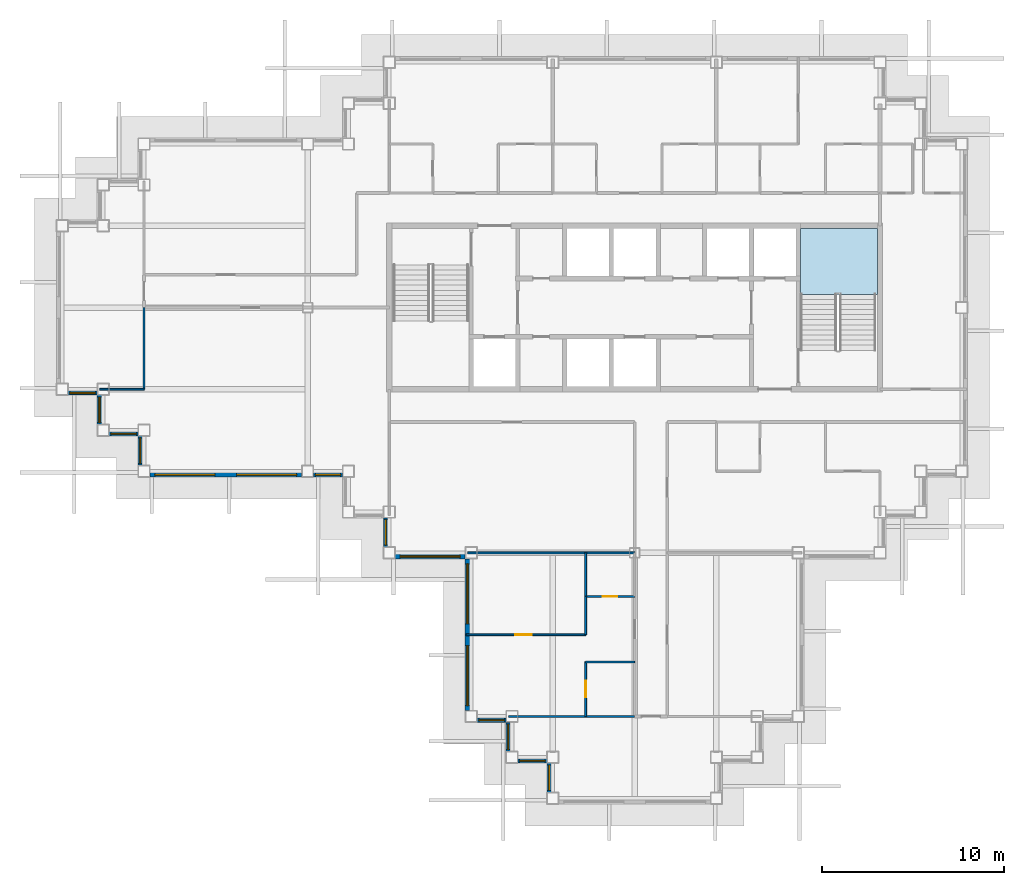
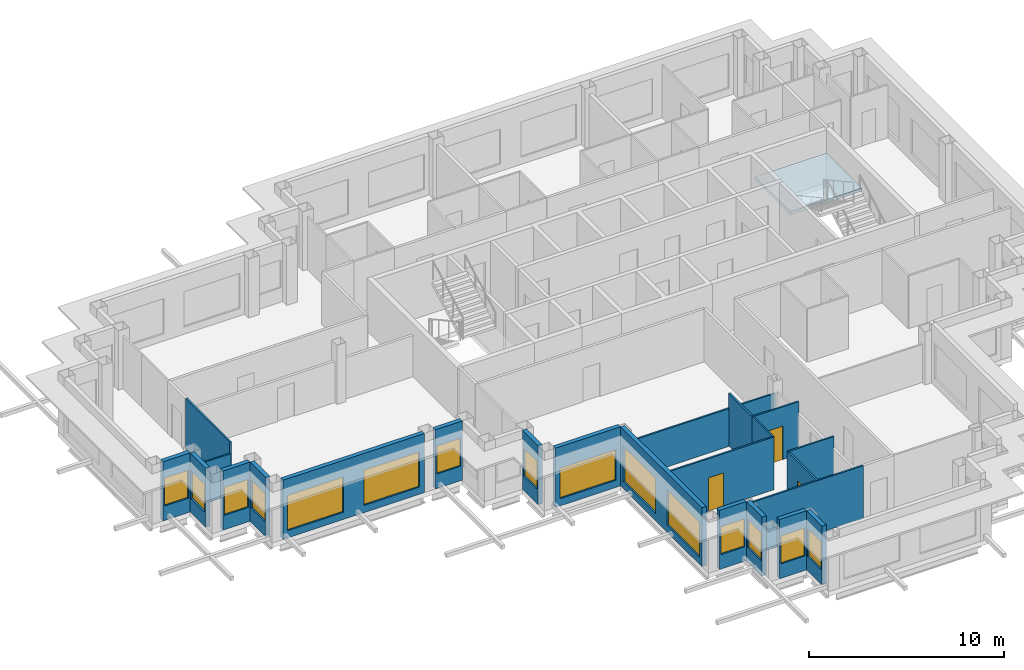
# One storey, part 2 of 11: 24 walls, 15 windows, 3 doors, 1 slab, 18 openings, 1 element without a shape of its own.
"""IFC4 building model written with IfcOpenShell, lengths in metres."""

import ifcopenshell
import ifcopenshell.guid

model = None  # the IFC model being written
_history = None  # IfcOwnerHistory: only IFC2X3 demands one
_inside = {}  # id of a spatial element -> (the spatial element, [elements in it])
_under = {}  # id of a project, library or spatial element -> (it, [spatial elements below it])
_declared = {}  # id of a project -> (the project, [libraries it declares])
_typed = {}  # id of a type object -> (the type object, [elements of that type])
_made_of = {}  # id of a material, layer set ... -> (it, [elements and type objects made of it])


def new_model(schema):
    """Start an empty IFC model of exactly this schema.

    Asked for "IFC4X3", IfcOpenShell would pick the latest addendum, in which some entities
    have other attributes; the version numbers below select the first issue.
    IFC2X3 requires an IfcOwnerHistory on every rooted entity: one is made here for all.
    """
    global model, _history
    if schema == "IFC4X3":
        model = ifcopenshell.file(schema_version=(4, 3, 0, 0))
    else:
        model = ifcopenshell.file(schema=schema)
    _inside.clear()
    _under.clear()
    _declared.clear()
    _typed.clear()
    _made_of.clear()
    _history = None
    if model.schema == "IFC2X3":
        org = make("IfcOrganization", Name="unknown")
        user = make(
            "IfcPersonAndOrganization",
            ThePerson=make("IfcPerson", FamilyName="unknown"),
            TheOrganization=org,
        )
        app = make(
            "IfcApplication",
            ApplicationDeveloper=org,
            Version="unknown",
            ApplicationFullName="unknown",
            ApplicationIdentifier="unknown",
        )
        _history = make(
            "IfcOwnerHistory",
            OwningUser=user,
            OwningApplication=app,
            ChangeAction="ADDED",
            CreationDate=0,
        )
    return model


def make(cls, **values):
    """One entity of the class cls with the attributes given. An attribute that is None is left unset."""
    return model.create_entity(
        cls, **{name: value for name, value in values.items() if value is not None}
    )


def rooted(cls, **values):
    """An entity with a GlobalId (a new one), such as an element, a storey or a relation."""
    return make(cls, GlobalId=ifcopenshell.guid.new(), OwnerHistory=_history, **values)


def si_unit(unit_type, name, prefix=None):
    """IfcSIUnit, for example si_unit("LENGTHUNIT", "METRE", prefix="MILLI")."""
    return make("IfcSIUnit", UnitType=unit_type, Prefix=prefix, Name=name)


def assignment(units):
    """IfcUnitAssignment: the units of a project."""
    return None if units is None else make("IfcUnitAssignment", Units=units)


def point(xyz):
    """IfcCartesianPoint."""
    return None if xyz is None else make("IfcCartesianPoint", Coordinates=xyz)


def direction(xyz):
    """IfcDirection."""
    return None if xyz is None else make("IfcDirection", DirectionRatios=xyz)


def frame(location, z_axis=None, x_axis=None):
    """IfcAxis2Placement3D, a coordinate frame: its origin and axes. An axis left out is left unset."""
    return make(
        "IfcAxis2Placement3D",
        Location=point(location),
        Axis=direction(z_axis),
        RefDirection=direction(x_axis),
    )


def frame_2d(location, x_axis=None):
    """IfcAxis2Placement2D, a coordinate frame in the plane: its origin and x axis."""
    return make(
        "IfcAxis2Placement2D", Location=point(location), RefDirection=direction(x_axis)
    )


def origin():
    """The frame at (0, 0, 0) with its axes left unset."""
    return frame((0.0, 0.0, 0.0))


def place(relative_to, where):
    """IfcLocalPlacement: puts the frame where relative to a parent placement (None: the world)."""
    return make(
        "IfcLocalPlacement", PlacementRelTo=relative_to, RelativePlacement=where
    )


def context(
    kind, dimensions, precision=None, world=None, true_north=None, identifier=None
):
    """IfcGeometricRepresentationContext, for example the 3D "Model" context."""
    return make(
        "IfcGeometricRepresentationContext",
        ContextIdentifier=identifier,
        ContextType=kind,
        CoordinateSpaceDimension=dimensions,
        Precision=precision,
        WorldCoordinateSystem=world,
        TrueNorth=true_north,
    )


def subcontext(parent, identifier, kind, view, scale=None):
    """IfcGeometricRepresentationSubContext, for example "Body" below "Model"."""
    return make(
        "IfcGeometricRepresentationSubContext",
        ContextIdentifier=identifier,
        ContextType=kind,
        ParentContext=parent,
        TargetScale=scale,
        TargetView=view,
    )


def project(units=None, contexts=None):
    """IfcProject with its units and contexts."""
    return rooted(
        "IfcProject",
        Name="project",
        RepresentationContexts=contexts,
        UnitsInContext=assignment(units),
    )


def spatial(cls, under=None, at=None, **own):
    """A site, building, storey or space (cls), placed at a placement, below another one or the project."""
    s = rooted(cls, ObjectPlacement=at, **own)
    if under is not None:
        _under.setdefault(under.id(), (under, []))[1].append(s)
    return s


def polyline(points):
    """IfcPolyline through the points."""
    return make("IfcPolyline", Points=[point(p) for p in points])


def profile(cls, at=None, kind="AREA", **sizes):
    """A parametric profile (cls). Its sizes go by their IFC names, for example OverallWidth=200.0."""
    return make(cls, ProfileType=kind, Position=at, **sizes)


def rectangle(**sizes):
    """IfcRectangleProfileDef."""
    return profile("IfcRectangleProfileDef", **sizes)


def outline(outer, holes=None, kind="AREA"):
    """IfcArbitraryClosedProfileDef: a profile drawn as a closed curve; with holes, ...WithVoids."""
    if holes is None:
        return make("IfcArbitraryClosedProfileDef", ProfileType=kind, OuterCurve=outer)
    return make(
        "IfcArbitraryProfileDefWithVoids",
        ProfileType=kind,
        OuterCurve=outer,
        InnerCurves=holes,
    )


def extrude(swept, where, along, depth):
    """IfcExtrudedAreaSolid: the profile swept, set in the frame where, extruded along a direction by depth."""
    return make(
        "IfcExtrudedAreaSolid",
        SweptArea=swept,
        Position=where,
        ExtrudedDirection=direction(along),
        Depth=depth,
    )


def shape(context_of_items, identifier, shape_type, items):
    """IfcShapeRepresentation: the items that make up one representation, for example the "Body"."""
    return make(
        "IfcShapeRepresentation",
        ContextOfItems=context_of_items,
        RepresentationIdentifier=identifier,
        RepresentationType=shape_type,
        Items=items,
    )


def material(Name=None, Category=None):
    """IfcMaterial."""
    return make("IfcMaterial", Name=Name, Category=Category)


def layer(
    of_material, thickness, ventilated=None, Name=None, Category=None, Priority=None
):
    """IfcMaterialLayer: one layer of a wall or slab, of a material (None: an air gap)."""
    return make(
        "IfcMaterialLayer",
        Material=of_material,
        LayerThickness=thickness,
        IsVentilated=ventilated,
        Name=Name,
        Category=Category,
        Priority=Priority,
    )


def layer_set(layers, Name=None):
    """IfcMaterialLayerSet."""
    return make("IfcMaterialLayerSet", MaterialLayers=layers, LayerSetName=Name)


def made_of(thing, what):
    """Note that an element or type object is made of a material, layer set ...; save() writes the relation."""
    if what is not None:
        _made_of.setdefault(what.id(), (what, []))[1].append(thing)
    return thing


def type_object(cls, material=None, **own):
    """A type object (cls), such as IfcWallType, which elements share."""
    return made_of(rooted(cls, **own), material)


def element(
    cls,
    number,
    at=None,
    inside=None,
    cuts=None,
    type_object=None,
    material=None,
    context=None,
    identifier="Body",
    shape_type=None,
    held_by="IfcProductDefinitionShape",
    body=None,
    shapes=None,
    **own,
):
    """One element of the class cls, such as IfcWall. Its Tag is "e" and its number.

    at: its placement. inside: the storey or other place that contains it. cuts: it is an
    opening in that element (IfcRelVoidsElement). A single representation is given by context,
    identifier, shape_type and body (its items); several are given by shapes. held_by: the class
    of the entity that holds the representations. save() writes the other relations.
    """
    e = rooted(cls, Tag="e%d" % number, ObjectPlacement=at, **own)
    if body is not None:
        shapes = [shape(context, identifier, shape_type, body)]
    if shapes is not None:
        e.Representation = make(held_by, Representations=shapes)
    if inside is not None:
        _inside.setdefault(inside.id(), (inside, []))[1].append(e)
    if cuts is not None:
        rooted(
            "IfcRelVoidsElement", RelatingBuildingElement=cuts, RelatedOpeningElement=e
        )
    if type_object is not None:
        _typed.setdefault(type_object.id(), (type_object, []))[1].append(e)
    return made_of(e, material)


def fill(opening, filler):
    """IfcRelFillsElement: the door or window that sits in an opening."""
    return rooted(
        "IfcRelFillsElement",
        RelatingOpeningElement=opening,
        RelatedBuildingElement=filler,
    )


def aggregate(whole, parts):
    """IfcRelAggregates: a whole, such as a stair, and the parts it consists of."""
    return rooted("IfcRelAggregates", RelatingObject=whole, RelatedObjects=parts)


def save(model, path):
    """Write the relations noted so far, then the file.

    IfcRelAggregates (storeys below a building ...), IfcRelContainedInSpatialStructure (elements
    in a storey), IfcRelDefinesByType, IfcRelAssociatesMaterial and IfcRelDeclares: one each for
    every whole, place, type object, material and project.
    """
    for whole, parts in _under.values():
        aggregate(whole, parts)
    for where, things in _inside.values():
        rooted(
            "IfcRelContainedInSpatialStructure",
            RelatedElements=things,
            RelatingStructure=where,
        )
    for kind, things in _typed.values():
        rooted("IfcRelDefinesByType", RelatedObjects=things, RelatingType=kind)
    for what, things in _made_of.values():
        rooted("IfcRelAssociatesMaterial", RelatedObjects=things, RelatingMaterial=what)
    for by, libraries in _declared.values():
        rooted("IfcRelDeclares", RelatingContext=by, RelatedDefinitions=libraries)
    model.write(path)


model = new_model("IFC4")

# Units and contexts
model_context = context("Model", 3, precision=1e-05, world=origin(), true_north=direction((0.0, 1.0)))
body_context = subcontext(model_context, "Body", "Model", "MODEL_VIEW")
ifc_project = project(units=[si_unit("LENGTHUNIT", "METRE"), si_unit("AREAUNIT", "SQUARE_METRE"), si_unit("VOLUMEUNIT", "CUBIC_METRE"), si_unit("PLANEANGLEUNIT", "RADIAN"), si_unit("MASSUNIT", "GRAM", prefix="KILO")], contexts=[model_context])

# Site, building, storey
site_placement = place(None, origin())
site = spatial("IfcSite", under=ifc_project, at=site_placement, CompositionType="ELEMENT")
building_placement = place(site_placement, origin())
building = spatial("IfcBuilding", under=site, at=building_placement, Name="Caravel Reach Hotel and Residences", CompositionType="ELEMENT")
storey_placement = place(building_placement, frame((0.0, 0.0, 229.39990234375)))
storey = spatial("IfcBuildingStorey", under=building, at=storey_placement, Name="L58", CompositionType="ELEMENT", Elevation=229.39990234375)

# Stair, slab
ifc_material_1 = material(Name="Concrete C40", Category="concrete")
stair_type = type_object("IfcStairType", Name="Core stair", PredefinedType="HALF_TURN_STAIR", material=ifc_material_1)
stair_placement = place(storey_placement, origin())
stair = element("IfcStair", 1, at=stair_placement, inside=storey, type_object=stair_type, Name="L58 Exit stair B", PredefinedType="HALF_TURN_STAIR")
ifc_material_2 = material(Name="Concrete C40", Category="concrete")
ifc_layer_1 = layer(ifc_material_2, 0.199951171875)
ifc_layer_set_1 = layer_set([ifc_layer_1], Name="Core stair landing")
slab_type = type_object("IfcSlabType", Name="Core stair landing", PredefinedType="LANDING", material=ifc_layer_set_1)
slab_placement = place(storey_placement, frame((0.0, 0.0, 1.650146484375)))
slab = element("IfcSlab", 2, at=slab_placement, type_object=slab_type, Name="ST-B landing 1", PredefinedType="LANDING", context=body_context, shape_type="SweptSolid", body=[
    extrude(outline(polyline([(44.85009765625, 27.72998046875), (44.85009765625, 31.35009765625), (40.625, 31.35009765625), (40.625, 27.72998046875), (44.85009765625, 27.72998046875)])), origin(), (0.0, 0.0, 1.0), 0.199951171875),
])
aggregate(stair, [slab])

# Wall, opening, door
ifc_material_3 = material(Name="Gypsum board on steel stud", Category="steel")
ifc_layer_2 = layer(ifc_material_3, 0.10009765625)
ifc_layer_set_2 = layer_set([ifc_layer_2], Name="Bathroom pod wall 100 mm")
wall_type_1 = type_object("IfcWallType", Name="Bathroom pod wall 100 mm", PredefinedType="PARTITIONING", material=ifc_layer_set_2)
wall_1_placement = place(storey_placement, frame((28.800048828125, 11.10009765625, 0.0), z_axis=(0.0, 0.0, 1.0), x_axis=(1.0, 0.0, 0.0)))
wall_1 = element("IfcWall", 3, at=wall_1_placement, inside=storey, type_object=wall_type_1, Name="L58 wall w062", PredefinedType="PARTITIONING", context=body_context, shape_type="SweptSolid", body=[
    extrude(rectangle(XDim=2.699951171875, YDim=0.10009765625, at=frame_2d((1.35009765625, 0.0))), origin(), (0.0, 0.0, 1.0), 3.300048828125),
])
opening_1_placement = place(wall_1_placement, frame((0.949951171875, 0.0, 0.0)))
opening_1 = element("IfcOpeningElement", 4, at=opening_1_placement, cuts=wall_1, Name="Opening D58-034", PredefinedType="OPENING", context=body_context, shape_type="SweptSolid", body=[
    extrude(rectangle(XDim=0.800048828125, YDim=2.10009765625, at=frame_2d((0.39990234375, 1.050048828125))), frame((0.0, 0.06005859375, 0.0), z_axis=(0.0, -1.0, 0.0), x_axis=(1.0, 0.0, 0.0)), (0.0, 0.0, 1.0), 0.1201171875),
])
ifc_material_4 = material(Name="Timber and steel door leaf", Category="steel")
door_type_1 = type_object("IfcDoorType", Name="Bathroom door 800 x 2100", OperationType="SINGLE_SWING_LEFT", PredefinedType="DOOR", material=ifc_material_4)
door_1_placement = place(opening_1_placement, origin())
door_1 = element("IfcDoor", 5, at=door_1_placement, inside=storey, type_object=door_type_1, Name="door D58-034", OperationType="SINGLE_SWING_LEFT", OverallHeight=2.10009765625, OverallWidth=0.800048828125, PredefinedType="DOOR", context=body_context, shape_type="SweptSolid", body=[
    extrude(rectangle(XDim=0.800048828125, YDim=2.10009765625, at=frame_2d((0.39990234375, 1.050048828125))), frame((0.0, 0.02490234375, 0.0), z_axis=(0.0, -1.0, 0.0), x_axis=(1.0, 0.0, 0.0)), (0.0, 0.0, 1.0), 0.050048828125),
])
fill(opening_1, door_1)

# Walls
wall_2_placement = place(storey_placement, frame((28.800048828125, 13.5, 0.0), z_axis=(0.0, 0.0, 1.0), x_axis=(1.0, 0.0, 0.0)))
element("IfcWall", 6, at=wall_2_placement, inside=storey, type_object=wall_type_1, Name="L58 wall w063", PredefinedType="PARTITIONING", context=body_context, shape_type="SweptSolid", body=[
    extrude(rectangle(XDim=2.699951171875, YDim=0.10009765625, at=frame_2d((1.35009765625, 0.0))), origin(), (0.0, 0.0, 1.0), 2.3681640625),
])
wall_3_placement = place(storey_placement, frame((28.800048828125, 11.10009765625, 0.0), z_axis=(0.0, 0.0, 1.0), x_axis=(0.0, 1.0, 0.0)))
element("IfcWall", 7, at=wall_3_placement, inside=storey, type_object=wall_type_1, Name="L58 wall w076", PredefinedType="PARTITIONING", context=body_context, shape_type="SweptSolid", body=[
    extrude(rectangle(XDim=2.39990234375, YDim=0.10009765625, at=frame_2d((1.199951171875, 0.0))), origin(), (0.0, 0.0, 1.0), 3.300048828125),
])

# Wall, opening, window
ifc_material_5 = material(Name="Insulated rainscreen wall, aluminium cladding", Category="aluminium")
ifc_layer_3 = layer(ifc_material_5, 0.25)
ifc_layer_set_3 = layer_set([ifc_layer_3], Name="EW1 Tower rainscreen wall")
wall_type_2 = type_object("IfcWallType", Name="EW1 Tower rainscreen wall", PredefinedType="SOLIDWALL", material=ifc_layer_set_3)
wall_4_placement = place(storey_placement, frame((0.324951171875, 22.300048828125, 0.0), z_axis=(0.0, 0.0, 1.0), x_axis=(1.0, 0.0, 0.0)))
wall_4 = element("IfcWall", 8, at=wall_4_placement, inside=storey, type_object=wall_type_2, Name="External wall L58 S21.1", PredefinedType="SOLIDWALL", context=body_context, shape_type="SweptSolid", body=[
    extrude(rectangle(XDim=1.60009765625, YDim=0.25, at=frame_2d((0.800048828125, 0.0))), origin(), (0.0, 0.0, 1.0), 3.7001953125),
])
opening_2_placement = place(wall_4_placement, frame((0.10009765625, 0.0, 0.89990234375)))
opening_2 = element("IfcOpeningElement", 9, at=opening_2_placement, cuts=wall_4, Name="Opening WN24", PredefinedType="OPENING", context=body_context, shape_type="SweptSolid", body=[
    extrude(rectangle(XDim=1.39990234375, YDim=1.75, at=frame_2d((0.699951171875, 0.875))), frame((0.0, 0.135009765625, 0.0), z_axis=(0.0, -1.0, 0.0), x_axis=(1.0, 0.0, 0.0)), (0.0, 0.0, 1.0), 0.27001953125),
])
ifc_material_6 = material(Name="Dark low-e glazing in black aluminium frame", Category="aluminium")
window_type_1 = type_object("IfcWindowType", Name="Residence bedroom window 1400 x 1750", PartitioningType="SINGLE_PANEL", PredefinedType="WINDOW", material=ifc_material_6)
window_1_placement = place(opening_2_placement, origin())
window_1 = element("IfcWindow", 10, at=window_1_placement, inside=storey, type_object=window_type_1, Name="Window L58 S21.1.1", OverallHeight=1.75, OverallWidth=1.39990234375, PartitioningType="SINGLE_PANEL", PredefinedType="WINDOW", context=body_context, shape_type="SweptSolid", body=[
    extrude(rectangle(XDim=1.39990234375, YDim=1.75, at=frame_2d((0.699951171875, 0.875))), frame((0.0, 0.030029296875, 0.0), z_axis=(0.0, -1.0, 0.0), x_axis=(1.0, 0.0, 0.0)), (0.0, 0.0, 1.0), 0.06005859375),
])
fill(opening_2, window_1)

wall_5_placement = place(storey_placement, frame((2.050048828125, 22.175048828125, 0.0), z_axis=(0.0, 0.0, 1.0), x_axis=(0.0, -1.0, 0.0)))
wall_5 = element("IfcWall", 11, at=wall_5_placement, inside=storey, type_object=wall_type_2, Name="External wall L58 W22.1", PredefinedType="SOLIDWALL", context=body_context, shape_type="SweptSolid", body=[
    extrude(rectangle(XDim=1.60009765625, YDim=0.25, at=frame_2d((0.800048828125, 0.0))), origin(), (0.0, 0.0, 1.0), 3.7001953125),
])
opening_3_placement = place(wall_5_placement, frame((0.10009765625, 0.0, 0.89990234375)))
opening_3 = element("IfcOpeningElement", 12, at=opening_3_placement, cuts=wall_5, Name="Opening WN24", PredefinedType="OPENING", context=body_context, shape_type="SweptSolid", body=[
    extrude(rectangle(XDim=1.39990234375, YDim=1.75, at=frame_2d((0.699951171875, 0.875))), frame((0.0, 0.135009765625, 0.0), z_axis=(0.0, -1.0, 0.0), x_axis=(1.0, 0.0, 0.0)), (0.0, 0.0, 1.0), 0.27001953125),
])
window_2_placement = place(opening_3_placement, origin())
window_2 = element("IfcWindow", 13, at=window_2_placement, inside=storey, type_object=window_type_1, Name="Window L58 W22.1.1", OverallHeight=1.75, OverallWidth=1.39990234375, PartitioningType="SINGLE_PANEL", PredefinedType="WINDOW", context=body_context, shape_type="SweptSolid", body=[
    extrude(rectangle(XDim=1.39990234375, YDim=1.75, at=frame_2d((0.699951171875, 0.875))), frame((0.0, 0.030029296875, 0.0), z_axis=(0.0, -1.0, 0.0), x_axis=(1.0, 0.0, 0.0)), (0.0, 0.0, 1.0), 0.06005859375),
])
fill(opening_3, window_2)

wall_6_placement = place(storey_placement, frame((2.574951171875, 20.050048828125, 0.0), z_axis=(0.0, 0.0, 1.0), x_axis=(1.0, 0.0, 0.0)))
wall_6 = element("IfcWall", 14, at=wall_6_placement, inside=storey, type_object=wall_type_2, Name="External wall L58 S23.1", PredefinedType="SOLIDWALL", context=body_context, shape_type="SweptSolid", body=[
    extrude(rectangle(XDim=1.60009765625, YDim=0.25, at=frame_2d((0.800048828125, 0.0))), origin(), (0.0, 0.0, 1.0), 3.7001953125),
])
opening_4_placement = place(wall_6_placement, frame((0.10009765625, 0.0, 0.89990234375)))
opening_4 = element("IfcOpeningElement", 15, at=opening_4_placement, cuts=wall_6, Name="Opening WN24", PredefinedType="OPENING", context=body_context, shape_type="SweptSolid", body=[
    extrude(rectangle(XDim=1.39990234375, YDim=1.75, at=frame_2d((0.699951171875, 0.875))), frame((0.0, 0.135009765625, 0.0), z_axis=(0.0, -1.0, 0.0), x_axis=(1.0, 0.0, 0.0)), (0.0, 0.0, 1.0), 0.27001953125),
])
window_3_placement = place(opening_4_placement, origin())
window_3 = element("IfcWindow", 16, at=window_3_placement, inside=storey, type_object=window_type_1, Name="Window L58 S23.1.1", OverallHeight=1.75, OverallWidth=1.39990234375, PartitioningType="SINGLE_PANEL", PredefinedType="WINDOW", context=body_context, shape_type="SweptSolid", body=[
    extrude(rectangle(XDim=1.39990234375, YDim=1.75, at=frame_2d((0.699951171875, 0.875))), frame((0.0, 0.030029296875, 0.0), z_axis=(0.0, -1.0, 0.0), x_axis=(1.0, 0.0, 0.0)), (0.0, 0.0, 1.0), 0.06005859375),
])
fill(opening_4, window_3)

wall_7_placement = place(storey_placement, frame((4.300048828125, 19.925048828125, 0.0), z_axis=(0.0, 0.0, 1.0), x_axis=(0.0, -1.0, 0.0)))
wall_7 = element("IfcWall", 17, at=wall_7_placement, inside=storey, type_object=wall_type_2, Name="External wall L58 W24.1", PredefinedType="SOLIDWALL", context=body_context, shape_type="SweptSolid", body=[
    extrude(rectangle(XDim=1.60009765625, YDim=0.25, at=frame_2d((0.800048828125, 0.0))), origin(), (0.0, 0.0, 1.0), 3.7001953125),
])
opening_5_placement = place(wall_7_placement, frame((0.10009765625, 0.0, 0.89990234375)))
opening_5 = element("IfcOpeningElement", 18, at=opening_5_placement, cuts=wall_7, Name="Opening WN24", PredefinedType="OPENING", context=body_context, shape_type="SweptSolid", body=[
    extrude(rectangle(XDim=1.39990234375, YDim=1.75, at=frame_2d((0.699951171875, 0.875))), frame((0.0, 0.135009765625, 0.0), z_axis=(0.0, -1.0, 0.0), x_axis=(1.0, 0.0, 0.0)), (0.0, 0.0, 1.0), 0.27001953125),
])
window_4_placement = place(opening_5_placement, origin())
window_4 = element("IfcWindow", 19, at=window_4_placement, inside=storey, type_object=window_type_1, Name="Window L58 W24.1.1", OverallHeight=1.75, OverallWidth=1.39990234375, PartitioningType="SINGLE_PANEL", PredefinedType="WINDOW", context=body_context, shape_type="SweptSolid", body=[
    extrude(rectangle(XDim=1.39990234375, YDim=1.75, at=frame_2d((0.699951171875, 0.875))), frame((0.0, 0.030029296875, 0.0), z_axis=(0.0, -1.0, 0.0), x_axis=(1.0, 0.0, 0.0)), (0.0, 0.0, 1.0), 0.06005859375),
])
fill(opening_5, window_4)

# Wall, openings, windows
wall_8_placement = place(storey_placement, frame((4.824951171875, 17.800048828125, 0.0), z_axis=(0.0, 0.0, 1.0), x_axis=(1.0, 0.0, 0.0)))
wall_8 = element("IfcWall", 20, at=wall_8_placement, inside=storey, type_object=wall_type_2, Name="External wall L58 S25.1", PredefinedType="SOLIDWALL", context=body_context, shape_type="SweptSolid", body=[
    extrude(rectangle(XDim=8.35009765625, YDim=0.25, at=frame_2d((4.175048828125, 0.0))), origin(), (0.0, 0.0, 1.0), 3.7001953125),
])
opening_6_placement = place(wall_8_placement, frame((0.27490234375, 0.0, 0.449951171875)))
opening_6 = element("IfcOpeningElement", 21, at=opening_6_placement, cuts=wall_8, Name="Opening WN19", PredefinedType="OPENING", context=body_context, shape_type="SweptSolid", body=[
    extrude(rectangle(XDim=3.300048828125, YDim=2.199951171875, at=frame_2d((1.64990234375, 1.10009765625))), frame((0.0, 0.135009765625, 0.0), z_axis=(0.0, -1.0, 0.0), x_axis=(1.0, 0.0, 0.0)), (0.0, 0.0, 1.0), 0.27001953125),
])
opening_7_placement = place(wall_8_placement, frame((4.77490234375, 0.0, 0.449951171875)))
opening_7 = element("IfcOpeningElement", 22, at=opening_7_placement, cuts=wall_8, Name="Opening WN19", PredefinedType="OPENING", context=body_context, shape_type="SweptSolid", body=[
    extrude(rectangle(XDim=3.300048828125, YDim=2.199951171875, at=frame_2d((1.64990234375, 1.10009765625))), frame((0.0, 0.135009765625, 0.0), z_axis=(0.0, -1.0, 0.0), x_axis=(1.0, 0.0, 0.0)), (0.0, 0.0, 1.0), 0.27001953125),
])
ifc_material_7 = material(Name="Dark low-e glazing in black aluminium frame", Category="aluminium")
window_type_2 = type_object("IfcWindowType", Name="Residence living window 3300 x 2200", PartitioningType="SINGLE_PANEL", PredefinedType="WINDOW", material=ifc_material_7)
window_5_placement = place(opening_6_placement, origin())
window_5 = element("IfcWindow", 23, at=window_5_placement, inside=storey, type_object=window_type_2, Name="Window L58 S25.1.1", OverallHeight=2.199951171875, OverallWidth=3.300048828125, PartitioningType="SINGLE_PANEL", PredefinedType="WINDOW", context=body_context, shape_type="SweptSolid", body=[
    extrude(rectangle(XDim=3.300048828125, YDim=2.199951171875, at=frame_2d((1.64990234375, 1.10009765625))), frame((0.0, 0.030029296875, 0.0), z_axis=(0.0, -1.0, 0.0), x_axis=(1.0, 0.0, 0.0)), (0.0, 0.0, 1.0), 0.06005859375),
])
fill(opening_6, window_5)
window_6_placement = place(opening_7_placement, origin())
window_6 = element("IfcWindow", 24, at=window_6_placement, inside=storey, type_object=window_type_2, Name="Window L58 S25.1.2", OverallHeight=2.199951171875, OverallWidth=3.300048828125, PartitioningType="SINGLE_PANEL", PredefinedType="WINDOW", context=body_context, shape_type="SweptSolid", body=[
    extrude(rectangle(XDim=3.300048828125, YDim=2.199951171875, at=frame_2d((1.64990234375, 1.10009765625))), frame((0.0, 0.030029296875, 0.0), z_axis=(0.0, -1.0, 0.0), x_axis=(1.0, 0.0, 0.0)), (0.0, 0.0, 1.0), 0.06005859375),
])
fill(opening_7, window_6)

# Wall, opening, window
wall_9_placement = place(storey_placement, frame((13.824951171875, 17.800048828125, 0.0), z_axis=(0.0, 0.0, 1.0), x_axis=(1.0, 0.0, 0.0)))
wall_9 = element("IfcWall", 25, at=wall_9_placement, inside=storey, type_object=wall_type_2, Name="External wall L58 S25.2", PredefinedType="SOLIDWALL", context=body_context, shape_type="SweptSolid", body=[
    extrude(rectangle(XDim=1.60009765625, YDim=0.25, at=frame_2d((0.800048828125, 0.0))), origin(), (0.0, 0.0, 1.0), 3.7001953125),
])
opening_8_placement = place(wall_9_placement, frame((0.10009765625, 0.0, 0.89990234375)))
opening_8 = element("IfcOpeningElement", 26, at=opening_8_placement, cuts=wall_9, Name="Opening WN24", PredefinedType="OPENING", context=body_context, shape_type="SweptSolid", body=[
    extrude(rectangle(XDim=1.39990234375, YDim=1.75, at=frame_2d((0.699951171875, 0.875))), frame((0.0, 0.135009765625, 0.0), z_axis=(0.0, -1.0, 0.0), x_axis=(1.0, 0.0, 0.0)), (0.0, 0.0, 1.0), 0.27001953125),
])
window_7_placement = place(opening_8_placement, origin())
window_7 = element("IfcWindow", 27, at=window_7_placement, inside=storey, type_object=window_type_1, Name="Window L58 S25.2.1", OverallHeight=1.75, OverallWidth=1.39990234375, PartitioningType="SINGLE_PANEL", PredefinedType="WINDOW", context=body_context, shape_type="SweptSolid", body=[
    extrude(rectangle(XDim=1.39990234375, YDim=1.75, at=frame_2d((0.699951171875, 0.875))), frame((0.0, 0.030029296875, 0.0), z_axis=(0.0, -1.0, 0.0), x_axis=(1.0, 0.0, 0.0)), (0.0, 0.0, 1.0), 0.06005859375),
])
fill(opening_8, window_7)

wall_10_placement = place(storey_placement, frame((17.800048828125, 15.425048828125, 0.0), z_axis=(0.0, 0.0, 1.0), x_axis=(0.0, -1.0, 0.0)))
wall_10 = element("IfcWall", 28, at=wall_10_placement, inside=storey, type_object=wall_type_2, Name="External wall L58 W28.1", PredefinedType="SOLIDWALL", context=body_context, shape_type="SweptSolid", body=[
    extrude(rectangle(XDim=1.60009765625, YDim=0.25, at=frame_2d((0.800048828125, 0.0))), origin(), (0.0, 0.0, 1.0), 3.7001953125),
])
opening_9_placement = place(wall_10_placement, frame((0.10009765625, 0.0, 0.89990234375)))
opening_9 = element("IfcOpeningElement", 29, at=opening_9_placement, cuts=wall_10, Name="Opening WN24", PredefinedType="OPENING", context=body_context, shape_type="SweptSolid", body=[
    extrude(rectangle(XDim=1.39990234375, YDim=1.75, at=frame_2d((0.699951171875, 0.875))), frame((0.0, 0.135009765625, 0.0), z_axis=(0.0, -1.0, 0.0), x_axis=(1.0, 0.0, 0.0)), (0.0, 0.0, 1.0), 0.27001953125),
])
window_8_placement = place(opening_9_placement, origin())
window_8 = element("IfcWindow", 30, at=window_8_placement, inside=storey, type_object=window_type_1, Name="Window L58 W28.1.1", OverallHeight=1.75, OverallWidth=1.39990234375, PartitioningType="SINGLE_PANEL", PredefinedType="WINDOW", context=body_context, shape_type="SweptSolid", body=[
    extrude(rectangle(XDim=1.39990234375, YDim=1.75, at=frame_2d((0.699951171875, 0.875))), frame((0.0, 0.030029296875, 0.0), z_axis=(0.0, -1.0, 0.0), x_axis=(1.0, 0.0, 0.0)), (0.0, 0.0, 1.0), 0.06005859375),
])
fill(opening_9, window_8)

wall_11_placement = place(storey_placement, frame((18.324951171875, 13.300048828125, 0.0), z_axis=(0.0, 0.0, 1.0), x_axis=(1.0, 0.0, 0.0)))
wall_11 = element("IfcWall", 31, at=wall_11_placement, inside=storey, type_object=wall_type_2, Name="External wall L58 S29.1", PredefinedType="SOLIDWALL", context=body_context, shape_type="SweptSolid", body=[
    extrude(rectangle(XDim=3.85009765625, YDim=0.25, at=frame_2d((1.925048828125, 0.0))), origin(), (0.0, 0.0, 1.0), 3.7001953125),
])
opening_10_placement = place(wall_11_placement, frame((0.27490234375, 0.0, 0.449951171875)))
opening_10 = element("IfcOpeningElement", 32, at=opening_10_placement, cuts=wall_11, Name="Opening WN23", PredefinedType="OPENING", context=body_context, shape_type="SweptSolid", body=[
    extrude(rectangle(XDim=3.300048828125, YDim=1.89990234375, at=frame_2d((1.64990234375, 0.949951171875))), frame((0.0, 0.135009765625, 0.0), z_axis=(0.0, -1.0, 0.0), x_axis=(1.0, 0.0, 0.0)), (0.0, 0.0, 1.0), 0.27001953125),
])
ifc_material_8 = material(Name="Dark low-e glazing in black aluminium frame", Category="aluminium")
window_type_3 = type_object("IfcWindowType", Name="Residence living window 3300 x 1900", PartitioningType="SINGLE_PANEL", PredefinedType="WINDOW", material=ifc_material_8)
window_9_placement = place(opening_10_placement, origin())
window_9 = element("IfcWindow", 33, at=window_9_placement, inside=storey, type_object=window_type_3, Name="Window L58 S29.1.1", OverallHeight=1.89990234375, OverallWidth=3.300048828125, PartitioningType="SINGLE_PANEL", PredefinedType="WINDOW", context=body_context, shape_type="SweptSolid", body=[
    extrude(rectangle(XDim=3.300048828125, YDim=1.89990234375, at=frame_2d((1.64990234375, 0.949951171875))), frame((0.0, 0.030029296875, 0.0), z_axis=(0.0, -1.0, 0.0), x_axis=(1.0, 0.0, 0.0)), (0.0, 0.0, 1.0), 0.06005859375),
])
fill(opening_10, window_9)

# Wall, openings, windows
wall_12_placement = place(storey_placement, frame((22.300048828125, 13.175048828125, 0.0), z_axis=(0.0, 0.0, 1.0), x_axis=(0.0, -1.0, 0.0)))
wall_12 = element("IfcWall", 34, at=wall_12_placement, inside=storey, type_object=wall_type_2, Name="External wall L58 W30.1", PredefinedType="SOLIDWALL", context=body_context, shape_type="SweptSolid", body=[
    extrude(rectangle(XDim=8.35009765625, YDim=0.25, at=frame_2d((4.175048828125, 0.0))), origin(), (0.0, 0.0, 1.0), 3.7001953125),
])
opening_11_placement = place(wall_12_placement, frame((0.27490234375, 0.0, 0.449951171875)))
opening_11 = element("IfcOpeningElement", 35, at=opening_11_placement, cuts=wall_12, Name="Opening WN19", PredefinedType="OPENING", context=body_context, shape_type="SweptSolid", body=[
    extrude(rectangle(XDim=3.300048828125, YDim=2.199951171875, at=frame_2d((1.64990234375, 1.10009765625))), frame((0.0, 0.135009765625, 0.0), z_axis=(0.0, -1.0, 0.0), x_axis=(1.0, 0.0, 0.0)), (0.0, 0.0, 1.0), 0.27001953125),
])
opening_12_placement = place(wall_12_placement, frame((4.77490234375, 0.0, 0.449951171875)))
opening_12 = element("IfcOpeningElement", 36, at=opening_12_placement, cuts=wall_12, Name="Opening WN19", PredefinedType="OPENING", context=body_context, shape_type="SweptSolid", body=[
    extrude(rectangle(XDim=3.300048828125, YDim=2.199951171875, at=frame_2d((1.64990234375, 1.10009765625))), frame((0.0, 0.135009765625, 0.0), z_axis=(0.0, -1.0, 0.0), x_axis=(1.0, 0.0, 0.0)), (0.0, 0.0, 1.0), 0.27001953125),
])
window_10_placement = place(opening_11_placement, origin())
window_10 = element("IfcWindow", 37, at=window_10_placement, inside=storey, type_object=window_type_2, Name="Window L58 W30.1.1", OverallHeight=2.199951171875, OverallWidth=3.300048828125, PartitioningType="SINGLE_PANEL", PredefinedType="WINDOW", context=body_context, shape_type="SweptSolid", body=[
    extrude(rectangle(XDim=3.300048828125, YDim=2.199951171875, at=frame_2d((1.64990234375, 1.10009765625))), frame((0.0, 0.030029296875, 0.0), z_axis=(0.0, -1.0, 0.0), x_axis=(1.0, 0.0, 0.0)), (0.0, 0.0, 1.0), 0.06005859375),
])
fill(opening_11, window_10)
window_11_placement = place(opening_12_placement, origin())
window_11 = element("IfcWindow", 38, at=window_11_placement, inside=storey, type_object=window_type_2, Name="Window L58 W30.1.2", OverallHeight=2.199951171875, OverallWidth=3.300048828125, PartitioningType="SINGLE_PANEL", PredefinedType="WINDOW", context=body_context, shape_type="SweptSolid", body=[
    extrude(rectangle(XDim=3.300048828125, YDim=2.199951171875, at=frame_2d((1.64990234375, 1.10009765625))), frame((0.0, 0.030029296875, 0.0), z_axis=(0.0, -1.0, 0.0), x_axis=(1.0, 0.0, 0.0)), (0.0, 0.0, 1.0), 0.06005859375),
])
fill(opening_12, window_11)

# Wall, opening, window
wall_13_placement = place(storey_placement, frame((22.824951171875, 4.300048828125, 0.0), z_axis=(0.0, 0.0, 1.0), x_axis=(1.0, 0.0, 0.0)))
wall_13 = element("IfcWall", 39, at=wall_13_placement, inside=storey, type_object=wall_type_2, Name="External wall L58 S31.1", PredefinedType="SOLIDWALL", context=body_context, shape_type="SweptSolid", body=[
    extrude(rectangle(XDim=1.60009765625, YDim=0.25, at=frame_2d((0.800048828125, 0.0))), origin(), (0.0, 0.0, 1.0), 3.7001953125),
])
opening_13_placement = place(wall_13_placement, frame((0.10009765625, 0.0, 0.89990234375)))
opening_13 = element("IfcOpeningElement", 40, at=opening_13_placement, cuts=wall_13, Name="Opening WN24", PredefinedType="OPENING", context=body_context, shape_type="SweptSolid", body=[
    extrude(rectangle(XDim=1.39990234375, YDim=1.75, at=frame_2d((0.699951171875, 0.875))), frame((0.0, 0.135009765625, 0.0), z_axis=(0.0, -1.0, 0.0), x_axis=(1.0, 0.0, 0.0)), (0.0, 0.0, 1.0), 0.27001953125),
])
window_12_placement = place(opening_13_placement, origin())
window_12 = element("IfcWindow", 41, at=window_12_placement, inside=storey, type_object=window_type_1, Name="Window L58 S31.1.1", OverallHeight=1.75, OverallWidth=1.39990234375, PartitioningType="SINGLE_PANEL", PredefinedType="WINDOW", context=body_context, shape_type="SweptSolid", body=[
    extrude(rectangle(XDim=1.39990234375, YDim=1.75, at=frame_2d((0.699951171875, 0.875))), frame((0.0, 0.030029296875, 0.0), z_axis=(0.0, -1.0, 0.0), x_axis=(1.0, 0.0, 0.0)), (0.0, 0.0, 1.0), 0.06005859375),
])
fill(opening_13, window_12)

wall_14_placement = place(storey_placement, frame((24.550048828125, 4.175048828125, 0.0), z_axis=(0.0, 0.0, 1.0), x_axis=(0.0, -1.0, 0.0)))
wall_14 = element("IfcWall", 42, at=wall_14_placement, inside=storey, type_object=wall_type_2, Name="External wall L58 W32.1", PredefinedType="SOLIDWALL", context=body_context, shape_type="SweptSolid", body=[
    extrude(rectangle(XDim=1.60009765625, YDim=0.25, at=frame_2d((0.800048828125, 0.0))), origin(), (0.0, 0.0, 1.0), 3.7001953125),
])
opening_14_placement = place(wall_14_placement, frame((0.10009765625, 0.0, 0.89990234375)))
opening_14 = element("IfcOpeningElement", 43, at=opening_14_placement, cuts=wall_14, Name="Opening WN24", PredefinedType="OPENING", context=body_context, shape_type="SweptSolid", body=[
    extrude(rectangle(XDim=1.39990234375, YDim=1.75, at=frame_2d((0.699951171875, 0.875))), frame((0.0, 0.135009765625, 0.0), z_axis=(0.0, -1.0, 0.0), x_axis=(1.0, 0.0, 0.0)), (0.0, 0.0, 1.0), 0.27001953125),
])
window_13_placement = place(opening_14_placement, origin())
window_13 = element("IfcWindow", 44, at=window_13_placement, inside=storey, type_object=window_type_1, Name="Window L58 W32.1.1", OverallHeight=1.75, OverallWidth=1.39990234375, PartitioningType="SINGLE_PANEL", PredefinedType="WINDOW", context=body_context, shape_type="SweptSolid", body=[
    extrude(rectangle(XDim=1.39990234375, YDim=1.75, at=frame_2d((0.699951171875, 0.875))), frame((0.0, 0.030029296875, 0.0), z_axis=(0.0, -1.0, 0.0), x_axis=(1.0, 0.0, 0.0)), (0.0, 0.0, 1.0), 0.06005859375),
])
fill(opening_14, window_13)

wall_15_placement = place(storey_placement, frame((25.074951171875, 2.050048828125, 0.0), z_axis=(0.0, 0.0, 1.0), x_axis=(1.0, 0.0, 0.0)))
wall_15 = element("IfcWall", 45, at=wall_15_placement, inside=storey, type_object=wall_type_2, Name="External wall L58 S33.1", PredefinedType="SOLIDWALL", context=body_context, shape_type="SweptSolid", body=[
    extrude(rectangle(XDim=1.60009765625, YDim=0.25, at=frame_2d((0.800048828125, 0.0))), origin(), (0.0, 0.0, 1.0), 3.7001953125),
])
opening_15_placement = place(wall_15_placement, frame((0.10009765625, 0.0, 0.89990234375)))
opening_15 = element("IfcOpeningElement", 46, at=opening_15_placement, cuts=wall_15, Name="Opening WN24", PredefinedType="OPENING", context=body_context, shape_type="SweptSolid", body=[
    extrude(rectangle(XDim=1.39990234375, YDim=1.75, at=frame_2d((0.699951171875, 0.875))), frame((0.0, 0.135009765625, 0.0), z_axis=(0.0, -1.0, 0.0), x_axis=(1.0, 0.0, 0.0)), (0.0, 0.0, 1.0), 0.27001953125),
])
window_14_placement = place(opening_15_placement, origin())
window_14 = element("IfcWindow", 47, at=window_14_placement, inside=storey, type_object=window_type_1, Name="Window L58 S33.1.1", OverallHeight=1.75, OverallWidth=1.39990234375, PartitioningType="SINGLE_PANEL", PredefinedType="WINDOW", context=body_context, shape_type="SweptSolid", body=[
    extrude(rectangle(XDim=1.39990234375, YDim=1.75, at=frame_2d((0.699951171875, 0.875))), frame((0.0, 0.030029296875, 0.0), z_axis=(0.0, -1.0, 0.0), x_axis=(1.0, 0.0, 0.0)), (0.0, 0.0, 1.0), 0.06005859375),
])
fill(opening_15, window_14)

wall_16_placement = place(storey_placement, frame((26.800048828125, 1.925048828125, 0.0), z_axis=(0.0, 0.0, 1.0), x_axis=(0.0, -1.0, 0.0)))
wall_16 = element("IfcWall", 48, at=wall_16_placement, inside=storey, type_object=wall_type_2, Name="External wall L58 W34.1", PredefinedType="SOLIDWALL", context=body_context, shape_type="SweptSolid", body=[
    extrude(rectangle(XDim=1.60009765625, YDim=0.25, at=frame_2d((0.800048828125, 0.0))), origin(), (0.0, 0.0, 1.0), 3.7001953125),
])
opening_16_placement = place(wall_16_placement, frame((0.10009765625, 0.0, 0.89990234375)))
opening_16 = element("IfcOpeningElement", 49, at=opening_16_placement, cuts=wall_16, Name="Opening WN24", PredefinedType="OPENING", context=body_context, shape_type="SweptSolid", body=[
    extrude(rectangle(XDim=1.39990234375, YDim=1.75, at=frame_2d((0.699951171875, 0.875))), frame((0.0, 0.135009765625, 0.0), z_axis=(0.0, -1.0, 0.0), x_axis=(1.0, 0.0, 0.0)), (0.0, 0.0, 1.0), 0.27001953125),
])
window_15_placement = place(opening_16_placement, origin())
window_15 = element("IfcWindow", 50, at=window_15_placement, inside=storey, type_object=window_type_1, Name="Window L58 W34.1.1", OverallHeight=1.75, OverallWidth=1.39990234375, PartitioningType="SINGLE_PANEL", PredefinedType="WINDOW", context=body_context, shape_type="SweptSolid", body=[
    extrude(rectangle(XDim=1.39990234375, YDim=1.75, at=frame_2d((0.699951171875, 0.875))), frame((0.0, 0.030029296875, 0.0), z_axis=(0.0, -1.0, 0.0), x_axis=(1.0, 0.0, 0.0)), (0.0, 0.0, 1.0), 0.06005859375),
])
fill(opening_16, window_15)

# Walls
ifc_material_9 = material(Name="Gypsum board on steel stud", Category="steel")
ifc_layer_4 = layer(ifc_material_9, 0.10009765625)
ifc_layer_set_4 = layer_set([ifc_layer_4], Name="Partition 100 mm")
wall_type_3 = type_object("IfcWallType", Name="Partition 100 mm", PredefinedType="PARTITIONING", material=ifc_layer_set_4)
wall_17_placement = place(storey_placement, frame((22.31005859375, 13.5, 0.0), z_axis=(0.0, 0.0, 1.0), x_axis=(1.0, 0.0, 0.0)))
element("IfcWall", 51, at=wall_17_placement, inside=storey, type_object=wall_type_3, Name="L58 wall w029", PredefinedType="PARTITIONING", context=body_context, shape_type="SweptSolid", body=[
    extrude(rectangle(XDim=6.489990234375, YDim=0.10009765625, at=frame_2d((3.2451171875, 0.0))), origin(), (0.0, 0.0, 1.0), 2.3681640625),
])
wall_18_placement = place(storey_placement, frame((2.06005859375, 22.5, 0.0), z_axis=(0.0, 0.0, 1.0), x_axis=(1.0, 0.0, 0.0)))
element("IfcWall", 52, at=wall_18_placement, inside=storey, type_object=wall_type_3, Name="L58 wall w031", PredefinedType="PARTITIONING", context=body_context, shape_type="SweptSolid", body=[
    extrude(rectangle(XDim=2.43896484375, YDim=0.10009765625, at=frame_2d((1.219482421875, 0.0))), origin(), (0.0, 0.0, 1.0), 2.580078125),
])
wall_19_placement = place(storey_placement, frame((24.56005859375, 4.5, 0.0), z_axis=(0.0, 0.0, 1.0), x_axis=(1.0, 0.0, 0.0)))
element("IfcWall", 53, at=wall_19_placement, inside=storey, type_object=wall_type_3, Name="L58 wall w039", PredefinedType="PARTITIONING", context=body_context, shape_type="SweptSolid", body=[
    extrude(rectangle(XDim=6.93994140625, YDim=0.10009765625, at=frame_2d((3.469970703125, 0.0))), origin(), (0.0, 0.0, 1.0), 3.300048828125),
])
wall_20_placement = place(storey_placement, frame((28.800048828125, 7.5, 0.0), z_axis=(0.0, 0.0, 1.0), x_axis=(1.0, 0.0, 0.0)))
element("IfcWall", 54, at=wall_20_placement, inside=storey, type_object=wall_type_3, Name="L58 wall w041", PredefinedType="PARTITIONING", context=body_context, shape_type="SweptSolid", body=[
    extrude(rectangle(XDim=2.699951171875, YDim=0.10009765625, at=frame_2d((1.35009765625, 0.0))), origin(), (0.0, 0.0, 1.0), 3.300048828125),
])

# Wall, opening, door
wall_21_placement = place(storey_placement, frame((22.235107421875, 9.0, 0.0), z_axis=(0.0, 0.0, 1.0), x_axis=(1.0, 0.0, 0.0)))
wall_21 = element("IfcWall", 55, at=wall_21_placement, inside=storey, type_object=wall_type_3, Name="L58 wall w042", PredefinedType="PARTITIONING", context=body_context, shape_type="SweptSolid", body=[
    extrude(rectangle(XDim=6.56494140625, YDim=0.10009765625, at=frame_2d((3.282470703125, 0.0))), origin(), (0.0, 0.0, 1.0), 3.300048828125),
])
opening_17_placement = place(wall_21_placement, frame((2.699951171875, 0.0, 0.0)))
opening_17 = element("IfcOpeningElement", 56, at=opening_17_placement, cuts=wall_21, Name="Opening D58-035", PredefinedType="OPENING", context=body_context, shape_type="SweptSolid", body=[
    extrude(rectangle(XDim=0.89990234375, YDim=2.10009765625, at=frame_2d((0.449951171875, 1.050048828125))), frame((0.0, 0.06005859375, 0.0), z_axis=(0.0, -1.0, 0.0), x_axis=(1.0, 0.0, 0.0)), (0.0, 0.0, 1.0), 0.1201171875),
])
ifc_material_10 = material(Name="Timber and steel door leaf", Category="steel")
door_type_2 = type_object("IfcDoorType", Name="Door 900 x 2100 timber", OperationType="SINGLE_SWING_LEFT", PredefinedType="DOOR", material=ifc_material_10)
door_2_placement = place(opening_17_placement, origin())
door_2 = element("IfcDoor", 57, at=door_2_placement, inside=storey, type_object=door_type_2, Name="door D58-035", OperationType="SINGLE_SWING_RIGHT", OverallHeight=2.10009765625, OverallWidth=0.89990234375, PredefinedType="DOOR", context=body_context, shape_type="SweptSolid", body=[
    extrude(rectangle(XDim=0.89990234375, YDim=2.10009765625, at=frame_2d((0.449951171875, 1.050048828125))), frame((0.0, 0.02490234375, 0.0), z_axis=(0.0, -1.0, 0.0), x_axis=(1.0, 0.0, 0.0)), (0.0, 0.0, 1.0), 0.050048828125),
])
fill(opening_17, door_2)

# Wall
wall_22_placement = place(storey_placement, frame((28.800048828125, 9.0, 0.0), z_axis=(0.0, 0.0, 1.0), x_axis=(0.0, 1.0, 0.0)))
element("IfcWall", 58, at=wall_22_placement, inside=storey, type_object=wall_type_3, Name="L58 wall w047", PredefinedType="PARTITIONING", context=body_context, shape_type="SweptSolid", body=[
    extrude(rectangle(XDim=2.10009765625, YDim=0.10009765625, at=frame_2d((1.050048828125, 0.0))), origin(), (0.0, 0.0, 1.0), 3.300048828125),
])

# Wall, opening, door
wall_23_placement = place(storey_placement, frame((28.800048828125, 4.5, 0.0), z_axis=(0.0, 0.0, 1.0), x_axis=(0.0, 1.0, 0.0)))
wall_23 = element("IfcWall", 59, at=wall_23_placement, inside=storey, type_object=wall_type_3, Name="L58 wall w048", PredefinedType="PARTITIONING", context=body_context, shape_type="SweptSolid", body=[
    extrude(rectangle(XDim=3.0, YDim=0.10009765625, at=frame_2d((1.5, 0.0))), origin(), (0.0, 0.0, 1.0), 3.300048828125),
])
opening_18_placement = place(wall_23_placement, frame((1.050048828125, 0.0, 0.0)))
opening_18 = element("IfcOpeningElement", 60, at=opening_18_placement, cuts=wall_23, Name="Opening D58-033", PredefinedType="OPENING", context=body_context, shape_type="SweptSolid", body=[
    extrude(rectangle(XDim=0.89990234375, YDim=2.10009765625, at=frame_2d((0.449951171875, 1.050048828125))), frame((0.0, 0.06005859375, 0.0), z_axis=(0.0, -1.0, 0.0), x_axis=(1.0, 0.0, 0.0)), (0.0, 0.0, 1.0), 0.1201171875),
])
door_3_placement = place(opening_18_placement, origin())
door_3 = element("IfcDoor", 61, at=door_3_placement, inside=storey, type_object=door_type_2, Name="door D58-033", OperationType="SINGLE_SWING_RIGHT", OverallHeight=2.10009765625, OverallWidth=0.89990234375, PredefinedType="DOOR", context=body_context, shape_type="SweptSolid", body=[
    extrude(rectangle(XDim=0.89990234375, YDim=2.10009765625, at=frame_2d((0.449951171875, 1.050048828125))), frame((0.0, 0.02490234375, 0.0), z_axis=(0.0, -1.0, 0.0), x_axis=(1.0, 0.0, 0.0)), (0.0, 0.0, 1.0), 0.050048828125),
])
fill(opening_18, door_3)

# Wall
wall_24_placement = place(storey_placement, frame((4.5, 22.5, 0.0), z_axis=(0.0, 0.0, 1.0), x_axis=(0.0, 1.0, 0.0)))
element("IfcWall", 62, at=wall_24_placement, inside=storey, type_object=wall_type_3, Name="L58 wall w052", PredefinedType="PARTITIONING", context=body_context, shape_type="SweptSolid", body=[
    extrude(rectangle(XDim=4.5, YDim=0.10009765625, at=frame_2d((2.25, 0.0))), origin(), (0.0, 0.0, 1.0), 3.300048828125),
])

save(model, "model.ifc")
